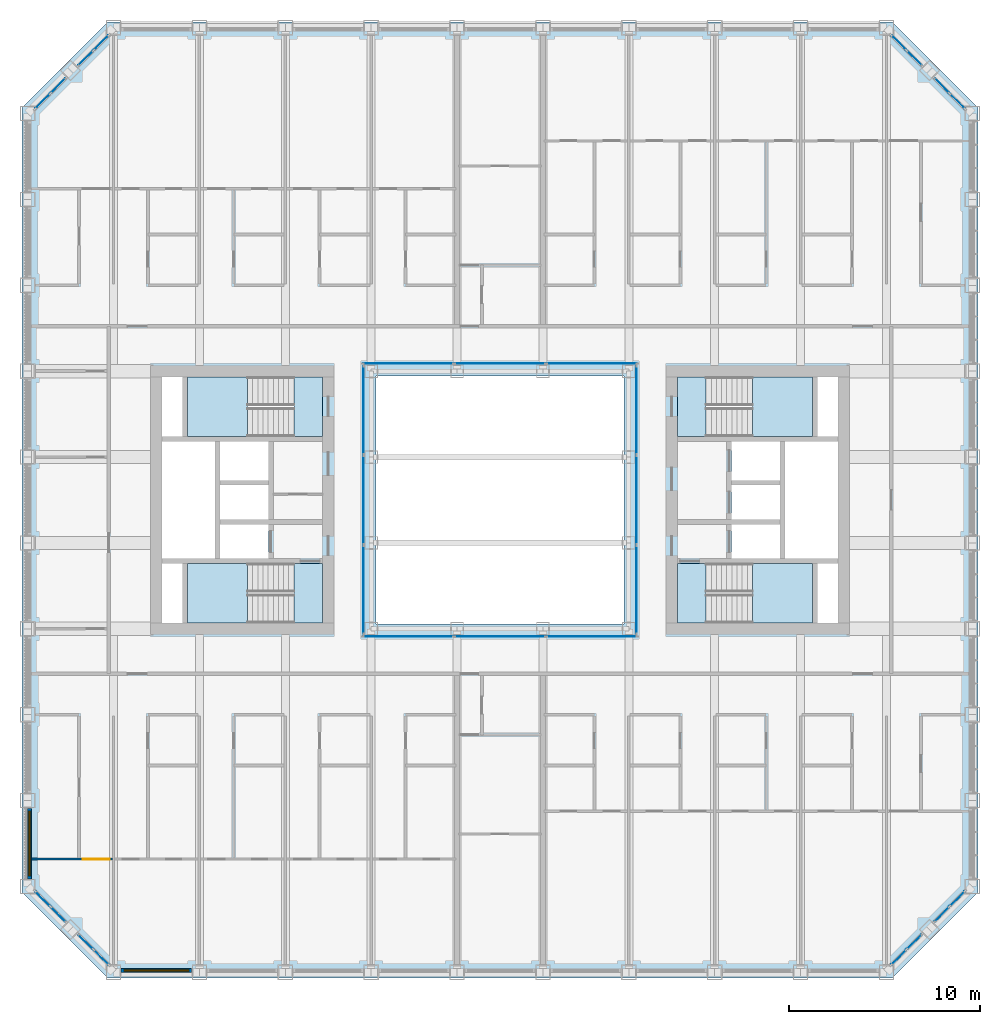
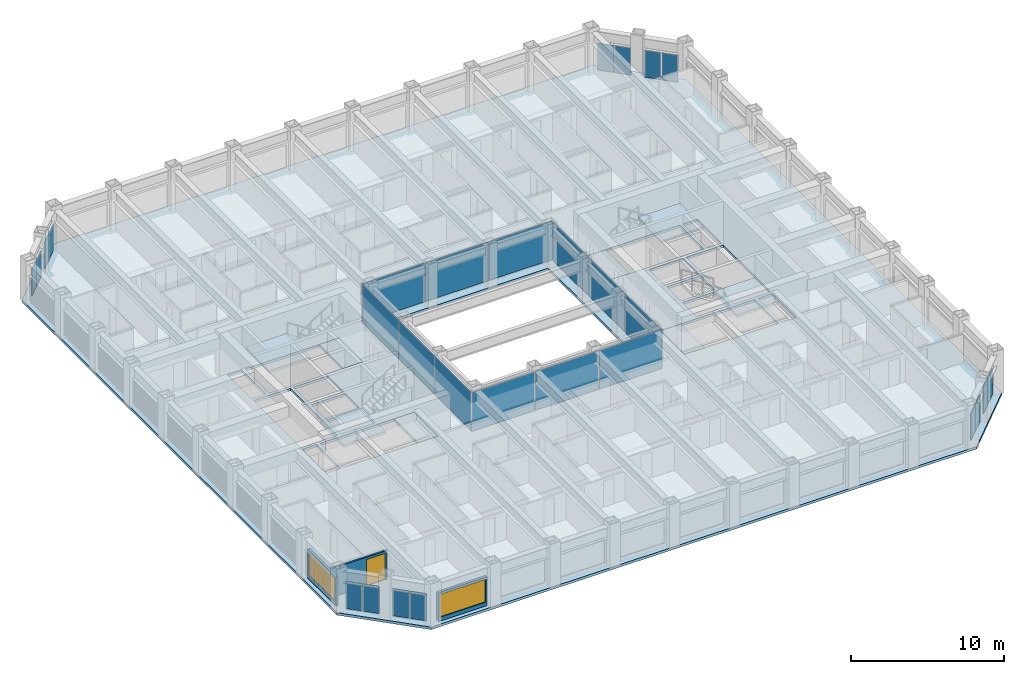
# One storey, part 8 of 21: 28 plates, 9 slabs, 3 walls, 2 windows, 1 door, 3 openings, 16 elements without a shape of their own.
"""IFC4 building model written with IfcOpenShell, lengths in metres."""

from ifc_helpers import new_model, si_unit, direction, frame, frame_2d, origin, origin_2d, place, context, subcontext, project, spatial, polyline, rectangle, outline, extrude, material, layer, layer_set, type_object, element, fill, aggregate, save


model = new_model("IFC4")

# Units and contexts
model_context = context("Model", 3, precision=1e-05, world=origin(), true_north=direction((0.0, 1.0)))
body_context = subcontext(model_context, "Body", "Model", "MODEL_VIEW")
ifc_project = project(units=[si_unit("LENGTHUNIT", "METRE"), si_unit("AREAUNIT", "SQUARE_METRE"), si_unit("VOLUMEUNIT", "CUBIC_METRE"), si_unit("PLANEANGLEUNIT", "RADIAN"), si_unit("MASSUNIT", "GRAM", prefix="KILO")], contexts=[model_context])

# Site, building, storey
site_placement = place(None, origin())
site = spatial("IfcSite", under=ifc_project, at=site_placement, CompositionType="ELEMENT")
building_placement = place(site_placement, origin())
building = spatial("IfcBuilding", under=site, at=building_placement, Name="Msasa Ring Tower", CompositionType="ELEMENT")
storey_placement = place(building_placement, frame((0.0, 0.0, 103.5)))
storey = spatial("IfcBuildingStorey", under=building, at=storey_placement, Name="L27", CompositionType="ELEMENT", Elevation=103.5)

# Curtain wall, plates
ifc_material_1 = material(Name="Aluminium curtain wall with clear glass", Category="aluminium")
curtain_wall_type_1 = type_object("IfcCurtainWallType", Name="CW-C CHAMFER CORNER CURTAIN WALL", PredefinedType="NOTDEFINED", material=ifc_material_1)
curtain_wall_1_placement = place(storey_placement, origin())
curtain_wall_1 = element("IfcCurtainWall", 1, at=curtain_wall_1_placement, inside=storey, type_object=curtain_wall_type_1, Name="Chamfer corner curtain wall SE L27", PredefinedType="NOTDEFINED")
ifc_material_2 = material(Name="Clear laminated insulating glass unit", Category="glass")
ifc_layer_1 = layer(ifc_material_2, 0.031982421875)
ifc_layer_set_1 = layer_set([ifc_layer_1], Name="CW-C GLASS PANEL 32")
plate_type_1 = type_object("IfcPlateType", Name="CW-C GLASS PANEL 32", PredefinedType="CURTAIN_PANEL", material=ifc_layer_set_1)
plate_1_placement = place(storey_placement, frame((20.896484375, -23.962158203125, 0.06494140625), z_axis=(0.0, 0.0, 1.0), x_axis=(0.707106781187, 0.707106781187, 0.0)))
plate_1 = element("IfcPlate", 2, at=plate_1_placement, type_object=plate_type_1, Name="CW-C panel 1.1", PredefinedType="CURTAIN_PANEL", context=body_context, shape_type="SweptSolid", body=[
    extrude(rectangle(XDim=1.08837890625, YDim=0.031982421875, at=origin_2d()), origin(), (0.0, 0.0, 1.0), 2.14892578125),
])
plate_2_placement = place(storey_placement, frame((21.712158203125, -23.146484375, 0.06494140625), z_axis=(0.0, 0.0, 1.0), x_axis=(0.707106781187, 0.707106781187, 0.0)))
plate_2 = element("IfcPlate", 3, at=plate_2_placement, type_object=plate_type_1, Name="CW-C panel 2.1", PredefinedType="CURTAIN_PANEL", context=body_context, shape_type="SweptSolid", body=[
    extrude(rectangle(XDim=1.08837890625, YDim=0.031982421875, at=origin_2d()), origin(), (0.0, 0.0, 1.0), 2.14892578125),
])
aggregate(curtain_wall_1, [plate_1, plate_2])

curtain_wall_2_placement = place(storey_placement, origin())
curtain_wall_2 = element("IfcCurtainWall", 4, at=curtain_wall_2_placement, inside=storey, type_object=curtain_wall_type_1, Name="Chamfer corner curtain wall SE L27", PredefinedType="NOTDEFINED")
plate_3_placement = place(storey_placement, frame((23.146484375, -21.712158203125, 0.06494140625), z_axis=(0.0, 0.0, 1.0), x_axis=(0.707106781187, 0.707106781187, 0.0)))
plate_3 = element("IfcPlate", 5, at=plate_3_placement, type_object=plate_type_1, Name="CW-C panel 1.1", PredefinedType="CURTAIN_PANEL", context=body_context, shape_type="SweptSolid", body=[
    extrude(rectangle(XDim=1.08837890625, YDim=0.031982421875, at=origin_2d()), origin(), (0.0, 0.0, 1.0), 2.14892578125),
])
plate_4_placement = place(storey_placement, frame((23.962158203125, -20.896484375, 0.06494140625), z_axis=(0.0, 0.0, 1.0), x_axis=(0.707106781187, 0.707106781187, 0.0)))
plate_4 = element("IfcPlate", 6, at=plate_4_placement, type_object=plate_type_1, Name="CW-C panel 2.1", PredefinedType="CURTAIN_PANEL", context=body_context, shape_type="SweptSolid", body=[
    extrude(rectangle(XDim=1.08837890625, YDim=0.031982421875, at=origin_2d()), origin(), (0.0, 0.0, 1.0), 2.14892578125),
])
aggregate(curtain_wall_2, [plate_3, plate_4])

curtain_wall_3_placement = place(storey_placement, origin())
curtain_wall_3 = element("IfcCurtainWall", 7, at=curtain_wall_3_placement, inside=storey, type_object=curtain_wall_type_1, Name="Chamfer corner curtain wall NE L27", PredefinedType="NOTDEFINED")
plate_5_placement = place(storey_placement, frame((21.712158203125, 23.146484375, 0.06494140625), z_axis=(0.0, 0.0, 1.0), x_axis=(-0.707106781187, 0.707106781187, 0.0)))
plate_5 = element("IfcPlate", 8, at=plate_5_placement, type_object=plate_type_1, Name="CW-C panel 1.1", PredefinedType="CURTAIN_PANEL", context=body_context, shape_type="SweptSolid", body=[
    extrude(rectangle(XDim=1.08837890625, YDim=0.031982421875, at=origin_2d()), origin(), (0.0, 0.0, 1.0), 2.14892578125),
])
plate_6_placement = place(storey_placement, frame((20.896484375, 23.962158203125, 0.06494140625), z_axis=(0.0, 0.0, 1.0), x_axis=(-0.707106781187, 0.707106781187, 0.0)))
plate_6 = element("IfcPlate", 9, at=plate_6_placement, type_object=plate_type_1, Name="CW-C panel 2.1", PredefinedType="CURTAIN_PANEL", context=body_context, shape_type="SweptSolid", body=[
    extrude(rectangle(XDim=1.08837890625, YDim=0.031982421875, at=origin_2d()), origin(), (0.0, 0.0, 1.0), 2.14892578125),
])
aggregate(curtain_wall_3, [plate_5, plate_6])

curtain_wall_4_placement = place(storey_placement, origin())
curtain_wall_4 = element("IfcCurtainWall", 10, at=curtain_wall_4_placement, inside=storey, type_object=curtain_wall_type_1, Name="Chamfer corner curtain wall NE L27", PredefinedType="NOTDEFINED")
plate_7_placement = place(storey_placement, frame((23.962158203125, 20.896484375, 0.06494140625), z_axis=(0.0, 0.0, 1.0), x_axis=(-0.707106781187, 0.707106781187, 0.0)))
plate_7 = element("IfcPlate", 11, at=plate_7_placement, type_object=plate_type_1, Name="CW-C panel 1.1", PredefinedType="CURTAIN_PANEL", context=body_context, shape_type="SweptSolid", body=[
    extrude(rectangle(XDim=1.08837890625, YDim=0.031982421875, at=origin_2d()), origin(), (0.0, 0.0, 1.0), 2.14892578125),
])
plate_8_placement = place(storey_placement, frame((23.146484375, 21.712158203125, 0.06494140625), z_axis=(0.0, 0.0, 1.0), x_axis=(-0.707106781187, 0.707106781187, 0.0)))
plate_8 = element("IfcPlate", 12, at=plate_8_placement, type_object=plate_type_1, Name="CW-C panel 2.1", PredefinedType="CURTAIN_PANEL", context=body_context, shape_type="SweptSolid", body=[
    extrude(rectangle(XDim=1.08837890625, YDim=0.031982421875, at=origin_2d()), origin(), (0.0, 0.0, 1.0), 2.14892578125),
])
aggregate(curtain_wall_4, [plate_7, plate_8])

curtain_wall_5_placement = place(storey_placement, origin())
curtain_wall_5 = element("IfcCurtainWall", 13, at=curtain_wall_5_placement, inside=storey, type_object=curtain_wall_type_1, Name="Chamfer corner curtain wall NW L27", PredefinedType="NOTDEFINED")
plate_9_placement = place(storey_placement, frame((-23.146484375, 21.712158203125, 0.06494140625), z_axis=(0.0, 0.0, 1.0), x_axis=(-0.707106781187, -0.707106781187, 0.0)))
plate_9 = element("IfcPlate", 14, at=plate_9_placement, type_object=plate_type_1, Name="CW-C panel 1.1", PredefinedType="CURTAIN_PANEL", context=body_context, shape_type="SweptSolid", body=[
    extrude(rectangle(XDim=1.08837890625, YDim=0.031982421875, at=origin_2d()), origin(), (0.0, 0.0, 1.0), 2.14892578125),
])
plate_10_placement = place(storey_placement, frame((-23.962158203125, 20.896484375, 0.06494140625), z_axis=(0.0, 0.0, 1.0), x_axis=(-0.707106781187, -0.707106781187, 0.0)))
plate_10 = element("IfcPlate", 15, at=plate_10_placement, type_object=plate_type_1, Name="CW-C panel 2.1", PredefinedType="CURTAIN_PANEL", context=body_context, shape_type="SweptSolid", body=[
    extrude(rectangle(XDim=1.08837890625, YDim=0.031982421875, at=origin_2d()), origin(), (0.0, 0.0, 1.0), 2.14892578125),
])
aggregate(curtain_wall_5, [plate_9, plate_10])

curtain_wall_6_placement = place(storey_placement, origin())
curtain_wall_6 = element("IfcCurtainWall", 16, at=curtain_wall_6_placement, inside=storey, type_object=curtain_wall_type_1, Name="Chamfer corner curtain wall NW L27", PredefinedType="NOTDEFINED")
plate_11_placement = place(storey_placement, frame((-20.896484375, 23.962158203125, 0.06494140625), z_axis=(0.0, 0.0, 1.0), x_axis=(-0.707106781187, -0.707106781187, 0.0)))
plate_11 = element("IfcPlate", 17, at=plate_11_placement, type_object=plate_type_1, Name="CW-C panel 1.1", PredefinedType="CURTAIN_PANEL", context=body_context, shape_type="SweptSolid", body=[
    extrude(rectangle(XDim=1.08837890625, YDim=0.031982421875, at=origin_2d()), origin(), (0.0, 0.0, 1.0), 2.14892578125),
])
plate_12_placement = place(storey_placement, frame((-21.712158203125, 23.146484375, 0.06494140625), z_axis=(0.0, 0.0, 1.0), x_axis=(-0.707106781187, -0.707106781187, 0.0)))
plate_12 = element("IfcPlate", 18, at=plate_12_placement, type_object=plate_type_1, Name="CW-C panel 2.1", PredefinedType="CURTAIN_PANEL", context=body_context, shape_type="SweptSolid", body=[
    extrude(rectangle(XDim=1.08837890625, YDim=0.031982421875, at=origin_2d()), origin(), (0.0, 0.0, 1.0), 2.14892578125),
])
aggregate(curtain_wall_6, [plate_11, plate_12])

curtain_wall_7_placement = place(storey_placement, origin())
curtain_wall_7 = element("IfcCurtainWall", 19, at=curtain_wall_7_placement, inside=storey, type_object=curtain_wall_type_1, Name="Chamfer corner curtain wall SW L27", PredefinedType="NOTDEFINED")
plate_13_placement = place(storey_placement, frame((-23.962158203125, -20.896484375, 0.06494140625), z_axis=(0.0, 0.0, 1.0), x_axis=(0.707106781187, -0.707106781187, 0.0)))
plate_13 = element("IfcPlate", 20, at=plate_13_placement, type_object=plate_type_1, Name="CW-C panel 1.1", PredefinedType="CURTAIN_PANEL", context=body_context, shape_type="SweptSolid", body=[
    extrude(rectangle(XDim=1.08837890625, YDim=0.031982421875, at=origin_2d()), origin(), (0.0, 0.0, 1.0), 2.14892578125),
])
plate_14_placement = place(storey_placement, frame((-23.146484375, -21.712158203125, 0.06494140625), z_axis=(0.0, 0.0, 1.0), x_axis=(0.707106781187, -0.707106781187, 0.0)))
plate_14 = element("IfcPlate", 21, at=plate_14_placement, type_object=plate_type_1, Name="CW-C panel 2.1", PredefinedType="CURTAIN_PANEL", context=body_context, shape_type="SweptSolid", body=[
    extrude(rectangle(XDim=1.08837890625, YDim=0.031982421875, at=origin_2d()), origin(), (0.0, 0.0, 1.0), 2.14892578125),
])
aggregate(curtain_wall_7, [plate_13, plate_14])

curtain_wall_8_placement = place(storey_placement, origin())
curtain_wall_8 = element("IfcCurtainWall", 22, at=curtain_wall_8_placement, inside=storey, type_object=curtain_wall_type_1, Name="Chamfer corner curtain wall SW L27", PredefinedType="NOTDEFINED")
plate_15_placement = place(storey_placement, frame((-21.712158203125, -23.146484375, 0.06494140625), z_axis=(0.0, 0.0, 1.0), x_axis=(0.707106781187, -0.707106781187, 0.0)))
plate_15 = element("IfcPlate", 23, at=plate_15_placement, type_object=plate_type_1, Name="CW-C panel 1.1", PredefinedType="CURTAIN_PANEL", context=body_context, shape_type="SweptSolid", body=[
    extrude(rectangle(XDim=1.08837890625, YDim=0.031982421875, at=origin_2d()), origin(), (0.0, 0.0, 1.0), 2.14892578125),
])
plate_16_placement = place(storey_placement, frame((-20.896484375, -23.962158203125, 0.06494140625), z_axis=(0.0, 0.0, 1.0), x_axis=(0.707106781187, -0.707106781187, 0.0)))
plate_16 = element("IfcPlate", 24, at=plate_16_placement, type_object=plate_type_1, Name="CW-C panel 2.1", PredefinedType="CURTAIN_PANEL", context=body_context, shape_type="SweptSolid", body=[
    extrude(rectangle(XDim=1.08837890625, YDim=0.031982421875, at=origin_2d()), origin(), (0.0, 0.0, 1.0), 2.14892578125),
])
aggregate(curtain_wall_8, [plate_15, plate_16])

ifc_material_3 = material(Name="Aluminium curtain wall with clear glass", Category="aluminium")
curtain_wall_type_2 = type_object("IfcCurtainWallType", Name="CW-W LIGHT WELL CURTAIN WALL", PredefinedType="NOTDEFINED", material=ifc_material_3)
curtain_wall_9_placement = place(storey_placement, origin())
curtain_wall_9 = element("IfcCurtainWall", 25, at=curtain_wall_9_placement, inside=storey, type_object=curtain_wall_type_2, Name="Light well curtain wall N L27", PredefinedType="NOTDEFINED")
ifc_material_4 = material(Name="Clear laminated insulating glass unit", Category="glass")
ifc_layer_2 = layer(ifc_material_4, 0.028076171875)
ifc_layer_set_2 = layer_set([ifc_layer_2], Name="CW-W GLASS PANEL 28")
plate_type_2 = type_object("IfcPlateType", Name="CW-W GLASS PANEL 28", PredefinedType="CURTAIN_PANEL", material=ifc_layer_set_2)
plate_17_placement = place(storey_placement, frame((-4.804931640625, 7.14990234375, 0.06005859375), z_axis=(0.0, 0.0, 1.0), x_axis=(1.0, 0.0, 0.0)))
plate_17 = element("IfcPlate", 26, at=plate_17_placement, type_object=plate_type_2, Name="CW-W panel 1.1", PredefinedType="CURTAIN_PANEL", context=body_context, shape_type="SweptSolid", body=[
    extrude(rectangle(XDim=4.72998046875, YDim=0.028076171875, at=origin_2d()), origin(), (0.0, 0.0, 1.0), 3.080078125),
])
plate_18_placement = place(storey_placement, frame((0.0, 7.14990234375, 0.06005859375), z_axis=(0.0, 0.0, 1.0), x_axis=(1.0, 0.0, 0.0)))
plate_18 = element("IfcPlate", 27, at=plate_18_placement, type_object=plate_type_2, Name="CW-W panel 2.1", PredefinedType="CURTAIN_PANEL", context=body_context, shape_type="SweptSolid", body=[
    extrude(rectangle(XDim=4.760009765625, YDim=0.028076171875, at=origin_2d()), origin(), (0.0, 0.0, 1.0), 3.080078125),
])
plate_19_placement = place(storey_placement, frame((4.804931640625, 7.14990234375, 0.06005859375), z_axis=(0.0, 0.0, 1.0), x_axis=(1.0, 0.0, 0.0)))
plate_19 = element("IfcPlate", 28, at=plate_19_placement, type_object=plate_type_2, Name="CW-W panel 3.1", PredefinedType="CURTAIN_PANEL", context=body_context, shape_type="SweptSolid", body=[
    extrude(rectangle(XDim=4.72998046875, YDim=0.028076171875, at=origin_2d()), origin(), (0.0, 0.0, 1.0), 3.080078125),
])
aggregate(curtain_wall_9, [plate_17, plate_18, plate_19])

curtain_wall_10_placement = place(storey_placement, origin())
curtain_wall_10 = element("IfcCurtainWall", 29, at=curtain_wall_10_placement, inside=storey, type_object=curtain_wall_type_2, Name="Light well curtain wall S L27", PredefinedType="NOTDEFINED")
plate_20_placement = place(storey_placement, frame((-4.804931640625, -7.14990234375, 0.06005859375), z_axis=(0.0, 0.0, 1.0), x_axis=(1.0, 0.0, 0.0)))
plate_20 = element("IfcPlate", 30, at=plate_20_placement, type_object=plate_type_2, Name="CW-W panel 1.1", PredefinedType="CURTAIN_PANEL", context=body_context, shape_type="SweptSolid", body=[
    extrude(rectangle(XDim=4.72998046875, YDim=0.028076171875, at=origin_2d()), origin(), (0.0, 0.0, 1.0), 3.080078125),
])
plate_21_placement = place(storey_placement, frame((0.0, -7.14990234375, 0.06005859375), z_axis=(0.0, 0.0, 1.0), x_axis=(1.0, 0.0, 0.0)))
plate_21 = element("IfcPlate", 31, at=plate_21_placement, type_object=plate_type_2, Name="CW-W panel 2.1", PredefinedType="CURTAIN_PANEL", context=body_context, shape_type="SweptSolid", body=[
    extrude(rectangle(XDim=4.760009765625, YDim=0.028076171875, at=origin_2d()), origin(), (0.0, 0.0, 1.0), 3.080078125),
])
plate_22_placement = place(storey_placement, frame((4.804931640625, -7.14990234375, 0.06005859375), z_axis=(0.0, 0.0, 1.0), x_axis=(1.0, 0.0, 0.0)))
plate_22 = element("IfcPlate", 32, at=plate_22_placement, type_object=plate_type_2, Name="CW-W panel 3.1", PredefinedType="CURTAIN_PANEL", context=body_context, shape_type="SweptSolid", body=[
    extrude(rectangle(XDim=4.72998046875, YDim=0.028076171875, at=origin_2d()), origin(), (0.0, 0.0, 1.0), 3.080078125),
])
aggregate(curtain_wall_10, [plate_20, plate_21, plate_22])

curtain_wall_11_placement = place(storey_placement, origin())
curtain_wall_11 = element("IfcCurtainWall", 33, at=curtain_wall_11_placement, inside=storey, type_object=curtain_wall_type_2, Name="Light well curtain wall E L27", PredefinedType="NOTDEFINED")
plate_23_placement = place(storey_placement, frame((7.14990234375, -4.6982421875, 0.06005859375), z_axis=(0.0, 0.0, 1.0), x_axis=(0.0, 1.0, 0.0)))
plate_23 = element("IfcPlate", 34, at=plate_23_placement, type_object=plate_type_2, Name="CW-W panel 1.1", PredefinedType="CURTAIN_PANEL", context=body_context, shape_type="SweptSolid", body=[
    extrude(rectangle(XDim=4.623291015625, YDim=0.028076171875, at=origin_2d()), origin(), (0.0, 0.0, 1.0), 3.080078125),
])
plate_24_placement = place(storey_placement, frame((7.14990234375, 0.0, 0.06005859375), z_axis=(0.0, 0.0, 1.0), x_axis=(0.0, 1.0, 0.0)))
plate_24 = element("IfcPlate", 35, at=plate_24_placement, type_object=plate_type_2, Name="CW-W panel 2.1", PredefinedType="CURTAIN_PANEL", context=body_context, shape_type="SweptSolid", body=[
    extrude(rectangle(XDim=4.6533203125, YDim=0.028076171875, at=origin_2d()), origin(), (0.0, 0.0, 1.0), 3.080078125),
])
plate_25_placement = place(storey_placement, frame((7.14990234375, 4.6982421875, 0.06005859375), z_axis=(0.0, 0.0, 1.0), x_axis=(0.0, 1.0, 0.0)))
plate_25 = element("IfcPlate", 36, at=plate_25_placement, type_object=plate_type_2, Name="CW-W panel 3.1", PredefinedType="CURTAIN_PANEL", context=body_context, shape_type="SweptSolid", body=[
    extrude(rectangle(XDim=4.623291015625, YDim=0.028076171875, at=origin_2d()), origin(), (0.0, 0.0, 1.0), 3.080078125),
])
aggregate(curtain_wall_11, [plate_23, plate_24, plate_25])

curtain_wall_12_placement = place(storey_placement, origin())
curtain_wall_12 = element("IfcCurtainWall", 37, at=curtain_wall_12_placement, inside=storey, type_object=curtain_wall_type_2, Name="Light well curtain wall W L27", PredefinedType="NOTDEFINED")
plate_26_placement = place(storey_placement, frame((-7.14990234375, -4.6982421875, 0.06005859375), z_axis=(0.0, 0.0, 1.0), x_axis=(0.0, 1.0, 0.0)))
plate_26 = element("IfcPlate", 38, at=plate_26_placement, type_object=plate_type_2, Name="CW-W panel 1.1", PredefinedType="CURTAIN_PANEL", context=body_context, shape_type="SweptSolid", body=[
    extrude(rectangle(XDim=4.623291015625, YDim=0.028076171875, at=origin_2d()), origin(), (0.0, 0.0, 1.0), 3.080078125),
])
plate_27_placement = place(storey_placement, frame((-7.14990234375, 0.0, 0.06005859375), z_axis=(0.0, 0.0, 1.0), x_axis=(0.0, 1.0, 0.0)))
plate_27 = element("IfcPlate", 39, at=plate_27_placement, type_object=plate_type_2, Name="CW-W panel 2.1", PredefinedType="CURTAIN_PANEL", context=body_context, shape_type="SweptSolid", body=[
    extrude(rectangle(XDim=4.6533203125, YDim=0.028076171875, at=origin_2d()), origin(), (0.0, 0.0, 1.0), 3.080078125),
])
plate_28_placement = place(storey_placement, frame((-7.14990234375, 4.6982421875, 0.06005859375), z_axis=(0.0, 0.0, 1.0), x_axis=(0.0, 1.0, 0.0)))
plate_28 = element("IfcPlate", 40, at=plate_28_placement, type_object=plate_type_2, Name="CW-W panel 3.1", PredefinedType="CURTAIN_PANEL", context=body_context, shape_type="SweptSolid", body=[
    extrude(rectangle(XDim=4.623291015625, YDim=0.028076171875, at=origin_2d()), origin(), (0.0, 0.0, 1.0), 3.080078125),
])
aggregate(curtain_wall_12, [plate_26, plate_27, plate_28])

# Stair, slabs
ifc_material_5 = material(Name="Concrete C40/50", Category="concrete")
stair_type = type_object("IfcStairType", Name="STC CORE STAIR 20 RISERS 175", PredefinedType="HALF_TURN_STAIR", material=ifc_material_5)
stair_1_placement = place(storey_placement, origin())
stair_1 = element("IfcStair", 41, at=stair_1_placement, inside=storey, type_object=stair_type, Name="Core stair SEA L27", PredefinedType="HALF_TURN_STAIR")
ifc_material_6 = material(Name="Concrete C40/50", Category="concrete")
ifc_layer_3 = layer(ifc_material_6, 0.199951171875)
ifc_layer_set_3 = layer_set([ifc_layer_3], Name="LD1 CORE STAIR LANDING 200")
slab_type_1 = type_object("IfcSlabType", Name="LD1 CORE STAIR LANDING 200", PredefinedType="LANDING", material=ifc_layer_set_3)
slab_1_placement = place(storey_placement, frame((0.0, 0.0, -0.199951171875)))
slab_1 = element("IfcSlab", 42, at=slab_1_placement, type_object=slab_type_1, Name="SEA landing 1", PredefinedType="LANDING", context=body_context, shape_type="SweptSolid", body=[
    extrude(outline(polyline([(9.300048828125, -6.449951171875), (10.800048828125, -6.449951171875), (10.800048828125, -3.324951171875), (9.300048828125, -3.324951171875), (9.300048828125, -6.449951171875)])), origin(), (0.0, 0.0, 1.0), 0.199951171875),
])
slab_2_placement = place(storey_placement, frame((0.0, 0.0, 1.550048828125)))
slab_2 = element("IfcSlab", 43, at=slab_2_placement, type_object=slab_type_1, Name="SEA landing 2", PredefinedType="LANDING", context=body_context, shape_type="SweptSolid", body=[
    extrude(outline(polyline([(13.22998046875, -6.449951171875), (16.375, -6.449951171875), (16.375, -3.324951171875), (13.22998046875, -3.324951171875), (13.22998046875, -6.449951171875)])), origin(), (0.0, 0.0, 1.0), 0.199951171875),
])
aggregate(stair_1, [slab_1, slab_2])

stair_2_placement = place(storey_placement, origin())
stair_2 = element("IfcStair", 44, at=stair_2_placement, inside=storey, type_object=stair_type, Name="Core stair SEB L27", PredefinedType="HALF_TURN_STAIR")
slab_3_placement = place(storey_placement, frame((0.0, 0.0, -0.199951171875)))
slab_3 = element("IfcSlab", 45, at=slab_3_placement, type_object=slab_type_1, Name="SEB landing 1", PredefinedType="LANDING", context=body_context, shape_type="SweptSolid", body=[
    extrude(outline(polyline([(9.300048828125, 3.324951171875), (10.800048828125, 3.324951171875), (10.800048828125, 6.449951171875), (9.300048828125, 6.449951171875), (9.300048828125, 3.324951171875)])), origin(), (0.0, 0.0, 1.0), 0.199951171875),
])
slab_4_placement = place(storey_placement, frame((0.0, 0.0, 1.550048828125)))
slab_4 = element("IfcSlab", 46, at=slab_4_placement, type_object=slab_type_1, Name="SEB landing 2", PredefinedType="LANDING", context=body_context, shape_type="SweptSolid", body=[
    extrude(outline(polyline([(13.22998046875, 3.324951171875), (16.375, 3.324951171875), (16.375, 6.449951171875), (13.22998046875, 6.449951171875), (13.22998046875, 3.324951171875)])), origin(), (0.0, 0.0, 1.0), 0.199951171875),
])
aggregate(stair_2, [slab_3, slab_4])

stair_3_placement = place(storey_placement, origin())
stair_3 = element("IfcStair", 47, at=stair_3_placement, inside=storey, type_object=stair_type, Name="Core stair SWA L27", PredefinedType="HALF_TURN_STAIR")
slab_5_placement = place(storey_placement, frame((0.0, 0.0, -0.199951171875)))
slab_5 = element("IfcSlab", 48, at=slab_5_placement, type_object=slab_type_1, Name="SWA landing 1", PredefinedType="LANDING", context=body_context, shape_type="SweptSolid", body=[
    extrude(outline(polyline([(-10.800048828125, -6.449951171875), (-9.300048828125, -6.449951171875), (-9.300048828125, -3.324951171875), (-10.800048828125, -3.324951171875), (-10.800048828125, -6.449951171875)])), origin(), (0.0, 0.0, 1.0), 0.199951171875),
])
slab_6_placement = place(storey_placement, frame((0.0, 0.0, 1.550048828125)))
slab_6 = element("IfcSlab", 49, at=slab_6_placement, type_object=slab_type_1, Name="SWA landing 2", PredefinedType="LANDING", context=body_context, shape_type="SweptSolid", body=[
    extrude(outline(polyline([(-16.375, -6.449951171875), (-13.22998046875, -6.449951171875), (-13.22998046875, -3.324951171875), (-16.375, -3.324951171875), (-16.375, -6.449951171875)])), origin(), (0.0, 0.0, 1.0), 0.199951171875),
])
aggregate(stair_3, [slab_5, slab_6])

stair_4_placement = place(storey_placement, origin())
stair_4 = element("IfcStair", 50, at=stair_4_placement, inside=storey, type_object=stair_type, Name="Core stair SWB L27", PredefinedType="HALF_TURN_STAIR")
slab_7_placement = place(storey_placement, frame((0.0, 0.0, -0.199951171875)))
slab_7 = element("IfcSlab", 51, at=slab_7_placement, type_object=slab_type_1, Name="SWB landing 1", PredefinedType="LANDING", context=body_context, shape_type="SweptSolid", body=[
    extrude(outline(polyline([(-10.800048828125, 3.324951171875), (-9.300048828125, 3.324951171875), (-9.300048828125, 6.449951171875), (-10.800048828125, 6.449951171875), (-10.800048828125, 3.324951171875)])), origin(), (0.0, 0.0, 1.0), 0.199951171875),
])
slab_8_placement = place(storey_placement, frame((0.0, 0.0, 1.550048828125)))
slab_8 = element("IfcSlab", 52, at=slab_8_placement, type_object=slab_type_1, Name="SWB landing 2", PredefinedType="LANDING", context=body_context, shape_type="SweptSolid", body=[
    extrude(outline(polyline([(-16.375, 3.324951171875), (-13.22998046875, 3.324951171875), (-13.22998046875, 6.449951171875), (-16.375, 6.449951171875), (-16.375, 3.324951171875)])), origin(), (0.0, 0.0, 1.0), 0.199951171875),
])
aggregate(stair_4, [slab_7, slab_8])

# Slab
ifc_material_7 = material(Name="Concrete C40/50", Category="concrete")
ifc_layer_4 = layer(ifc_material_7, 0.199951171875)
ifc_layer_set_4 = layer_set([ifc_layer_4], Name="S3 RESIDENCE FLOOR 200")
slab_type_2 = type_object("IfcSlabType", Name="S3 RESIDENCE FLOOR 200", PredefinedType="FLOOR", material=ifc_layer_set_4)
slab_9_placement = place(storey_placement, frame((0.0, 0.0, -0.199951171875)))
element("IfcSlab", 53, at=slab_9_placement, inside=storey, type_object=slab_type_2, Name="Floor slab L27", PredefinedType="FLOOR", context=body_context, shape_type="SweptSolid", body=[
    extrude(outline(polyline([(-20.550048828125, -25.050048828125), (20.550048828125, -25.050048828125), (25.050048828125, -20.550048828125), (25.050048828125, 20.550048828125), (20.550048828125, 25.050048828125), (-20.550048828125, 25.050048828125), (-25.050048828125, 20.550048828125), (-25.050048828125, -20.550048828125), (-20.550048828125, -25.050048828125)]), holes=[polyline([(-6.5, -6.5), (6.5, -6.5), (6.5, 6.5), (-6.5, 6.5), (-6.5, -6.5)]), polyline([(9.300048828125, -6.449951171875), (16.375, -6.449951171875), (16.375, -3.324951171875), (9.300048828125, -3.324951171875), (9.300048828125, -6.449951171875)]), polyline([(9.300048828125, 3.324951171875), (16.375, 3.324951171875), (16.375, 6.449951171875), (9.300048828125, 6.449951171875), (9.300048828125, 3.324951171875)]), polyline([(12.125, -3.074951171875), (14.675048828125, -3.074951171875), (14.675048828125, -1.27490234375), (12.125, -1.27490234375), (12.125, -3.074951171875)]), polyline([(12.125, -1.02490234375), (14.675048828125, -1.02490234375), (14.675048828125, 0.77490234375), (12.125, 0.77490234375), (12.125, -1.02490234375)]), polyline([(12.125, 1.02490234375), (14.675048828125, 1.02490234375), (14.675048828125, 3.074951171875), (12.125, 3.074951171875), (12.125, 1.02490234375)]), polyline([(16.625, -6.449951171875), (17.699951171875, -6.449951171875), (17.699951171875, -3.324951171875), (16.625, -3.324951171875), (16.625, -6.449951171875)]), polyline([(16.625, 3.324951171875), (17.699951171875, 3.324951171875), (17.699951171875, 6.449951171875), (16.625, 6.449951171875), (16.625, 3.324951171875)]), polyline([(14.925048828125, -3.074951171875), (17.699951171875, -3.074951171875), (17.699951171875, 3.074951171875), (14.925048828125, 3.074951171875), (14.925048828125, -3.074951171875)]), polyline([(-16.375, -6.449951171875), (-9.300048828125, -6.449951171875), (-9.300048828125, -3.324951171875), (-16.375, -3.324951171875), (-16.375, -6.449951171875)]), polyline([(-16.375, 3.324951171875), (-9.300048828125, 3.324951171875), (-9.300048828125, 6.449951171875), (-16.375, 6.449951171875), (-16.375, 3.324951171875)]), polyline([(-14.675048828125, -3.074951171875), (-12.125, -3.074951171875), (-12.125, -1.27490234375), (-14.675048828125, -1.27490234375), (-14.675048828125, -3.074951171875)]), polyline([(-14.675048828125, -1.02490234375), (-12.125, -1.02490234375), (-12.125, 0.77490234375), (-14.675048828125, 0.77490234375), (-14.675048828125, -1.02490234375)]), polyline([(-14.675048828125, 1.02490234375), (-12.125, 1.02490234375), (-12.125, 3.074951171875), (-14.675048828125, 3.074951171875), (-14.675048828125, 1.02490234375)]), polyline([(-17.699951171875, -6.449951171875), (-16.625, -6.449951171875), (-16.625, -3.324951171875), (-17.699951171875, -3.324951171875), (-17.699951171875, -6.449951171875)]), polyline([(-17.699951171875, 3.324951171875), (-16.625, 3.324951171875), (-16.625, 6.449951171875), (-17.699951171875, 6.449951171875), (-17.699951171875, 3.324951171875)]), polyline([(-17.699951171875, -3.074951171875), (-14.925048828125, -3.074951171875), (-14.925048828125, 3.074951171875), (-17.699951171875, 3.074951171875), (-17.699951171875, -3.074951171875)])]), origin(), (0.0, 0.0, 1.0), 0.199951171875),
])

# Wall, opening, window
ifc_material_8 = material(Name="Terracotta rainscreen on blockwork", Category="masonry")
ifc_layer_5 = layer(ifc_material_8, 0.199951171875)
ifc_layer_set_5 = layer_set([ifc_layer_5], Name="FW1 TERRACOTTA-LINED INFILL BAY WALL 200")
wall_type_1 = type_object("IfcWallType", Name="FW1 TERRACOTTA-LINED INFILL BAY WALL 200", PredefinedType="SOLIDWALL", material=ifc_layer_set_5)
wall_1_placement = place(storey_placement, frame((-19.844970703125, -24.64990234375, 0.0), z_axis=(0.0, 0.0, 1.0), x_axis=(1.0, 0.0, 0.0)))
wall_1 = element("IfcWall", 54, at=wall_1_placement, inside=storey, type_object=wall_type_1, Name="Infill bay wall S L27 00", PredefinedType="SOLIDWALL", context=body_context, shape_type="SweptSolid", body=[
    extrude(rectangle(XDim=3.68994140625, YDim=0.199951171875, at=frame_2d((1.844970703125, 0.0))), origin(), (0.0, 0.0, 1.0), 2.279052734375),
])
opening_1_placement = place(wall_1_placement, frame((0.14501953125, 0.0, 0.300048828125)))
opening_1 = element("IfcOpeningElement", 55, at=opening_1_placement, cuts=wall_1, Name="Opening WN6", PredefinedType="OPENING", context=body_context, shape_type="SweptSolid", body=[
    extrude(rectangle(XDim=3.39990234375, YDim=1.8291015625, at=frame_2d((1.699951171875, 0.91455078125))), frame((0.0, 0.10986328125, 0.0), z_axis=(0.0, -1.0, 0.0), x_axis=(1.0, 0.0, 0.0)), (0.0, 0.0, 1.0), 0.219970703125),
])
ifc_material_9 = material(Name="Aluminium frame with clear glass", Category="aluminium")
window_type = type_object("IfcWindowType", Name="WN6 RESIDENCE WINDOW 3400x1829", PartitioningType="SINGLE_PANEL", PredefinedType="WINDOW", material=ifc_material_9)
window_1_placement = place(opening_1_placement, origin())
window_1 = element("IfcWindow", 56, at=window_1_placement, inside=storey, type_object=window_type, Name="Window S L27 00", OverallHeight=1.8291015625, OverallWidth=3.39990234375, PartitioningType="SINGLE_PANEL", PredefinedType="WINDOW", context=body_context, shape_type="SweptSolid", body=[
    extrude(rectangle(XDim=3.39990234375, YDim=1.8291015625, at=frame_2d((1.699951171875, 0.91455078125))), frame((0.0, 0.030029296875, 0.0), z_axis=(0.0, -1.0, 0.0), x_axis=(1.0, 0.0, 0.0)), (0.0, 0.0, 1.0), 0.06005859375),
])
fill(opening_1, window_1)

wall_2_placement = place(storey_placement, frame((-24.64990234375, -19.844970703125, 0.0), z_axis=(0.0, 0.0, 1.0), x_axis=(0.0, 1.0, 0.0)))
wall_2 = element("IfcWall", 57, at=wall_2_placement, inside=storey, type_object=wall_type_1, Name="Infill bay wall W L27 33", PredefinedType="SOLIDWALL", context=body_context, shape_type="SweptSolid", body=[
    extrude(rectangle(XDim=3.68994140625, YDim=0.199951171875, at=frame_2d((1.844970703125, 0.0))), origin(), (0.0, 0.0, 1.0), 2.279052734375),
])
opening_2_placement = place(wall_2_placement, frame((0.14501953125, 0.0, 0.300048828125)))
opening_2 = element("IfcOpeningElement", 58, at=opening_2_placement, cuts=wall_2, Name="Opening WN6", PredefinedType="OPENING", context=body_context, shape_type="SweptSolid", body=[
    extrude(rectangle(XDim=3.39990234375, YDim=1.8291015625, at=frame_2d((1.699951171875, 0.91455078125))), frame((0.0, 0.10986328125, 0.0), z_axis=(0.0, -1.0, 0.0), x_axis=(1.0, 0.0, 0.0)), (0.0, 0.0, 1.0), 0.219970703125),
])
window_2_placement = place(opening_2_placement, origin())
window_2 = element("IfcWindow", 59, at=window_2_placement, inside=storey, type_object=window_type, Name="Window W L27 33", OverallHeight=1.8291015625, OverallWidth=3.39990234375, PartitioningType="SINGLE_PANEL", PredefinedType="WINDOW", context=body_context, shape_type="SweptSolid", body=[
    extrude(rectangle(XDim=3.39990234375, YDim=1.8291015625, at=frame_2d((1.699951171875, 0.91455078125))), frame((0.0, 0.030029296875, 0.0), z_axis=(0.0, -1.0, 0.0), x_axis=(1.0, 0.0, 0.0)), (0.0, 0.0, 1.0), 0.06005859375),
])
fill(opening_2, window_2)

# Wall, opening, door
ifc_material_10 = material(Name="Two layers of acoustic board each face on steel studs, mineral wool", Category="steel")
ifc_layer_6 = layer(ifc_material_10, 0.125)
ifc_layer_set_6 = layer_set([ifc_layer_6], Name="PT6 ACOUSTIC DOUBLE-BOARD PARTITION 125")
wall_type_2 = type_object("IfcWallType", Name="PT6 ACOUSTIC DOUBLE-BOARD PARTITION 125", PredefinedType="PARTITIONING", material=ifc_layer_set_6)
wall_3_placement = place(storey_placement, frame((-24.550048828125, -18.8125, 0.0), z_axis=(0.0, 0.0, 1.0), x_axis=(1.0, 0.0, 0.0)))
wall_3 = element("IfcWall", 60, at=wall_3_placement, inside=storey, type_object=wall_type_2, Name="Partition L27-US00SY0", PredefinedType="PARTITIONING", context=body_context, shape_type="SweptSolid", body=[
    extrude(rectangle(XDim=4.237548828125, YDim=0.125, at=frame_2d((2.11865234375, 0.0))), origin(), (0.0, 0.0, 1.0), 2.279052734375),
])
opening_3_placement = place(wall_3_placement, frame((2.699951171875, 0.0, 0.0)))
opening_3 = element("IfcOpeningElement", 61, at=opening_3_placement, cuts=wall_3, Name="Opening RH-074", PredefinedType="OPENING", context=body_context, shape_type="SweptSolid", body=[
    extrude(rectangle(XDim=1.39990234375, YDim=2.10009765625, at=frame_2d((0.699951171875, 1.050048828125))), frame((0.0, 0.072509765625, 0.0), z_axis=(0.0, -1.0, 0.0), x_axis=(1.0, 0.0, 0.0)), (0.0, 0.0, 1.0), 0.14501953125),
])
ifc_material_11 = material(Name="Timber door leaf in a steel frame", Category="steel")
door_type = type_object("IfcDoorType", Name="D15 LIVING ROOM PAIR OF GLAZED DOORS 1400x2100", OperationType="SINGLE_SWING_LEFT", PredefinedType="DOOR", material=ifc_material_11)
door_placement = place(opening_3_placement, origin())
door = element("IfcDoor", 62, at=door_placement, inside=storey, type_object=door_type, Name="Door L27-US00L", OperationType="SINGLE_SWING_RIGHT", OverallHeight=2.10009765625, OverallWidth=1.39990234375, PredefinedType="DOOR", context=body_context, shape_type="SweptSolid", body=[
    extrude(rectangle(XDim=1.39990234375, YDim=2.10009765625, at=frame_2d((0.699951171875, 1.050048828125))), frame((0.0, 0.02490234375, 0.0), z_axis=(0.0, -1.0, 0.0), x_axis=(1.0, 0.0, 0.0)), (0.0, 0.0, 1.0), 0.050048828125),
])
fill(opening_3, door)

save(model, "model.ifc")
